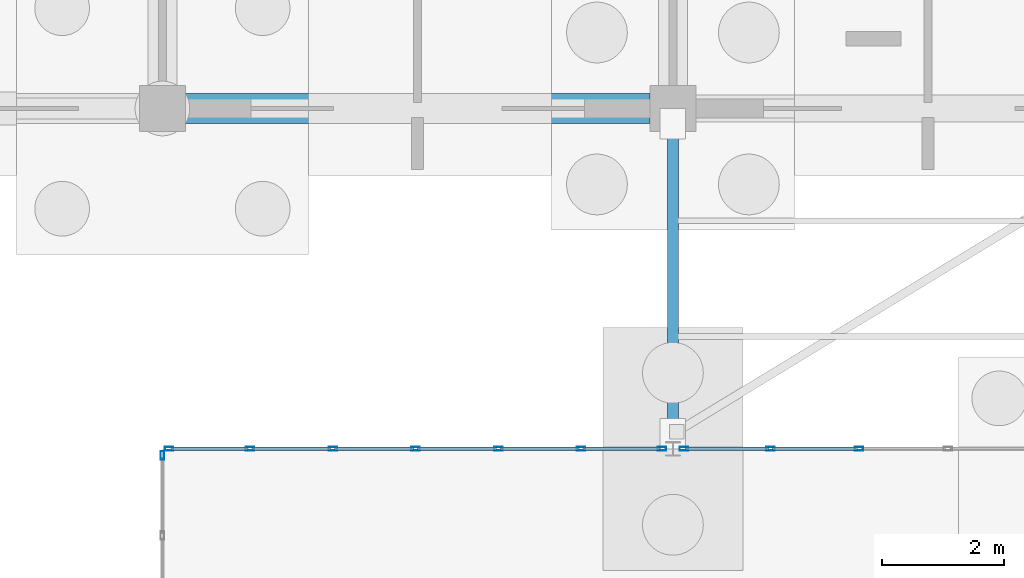
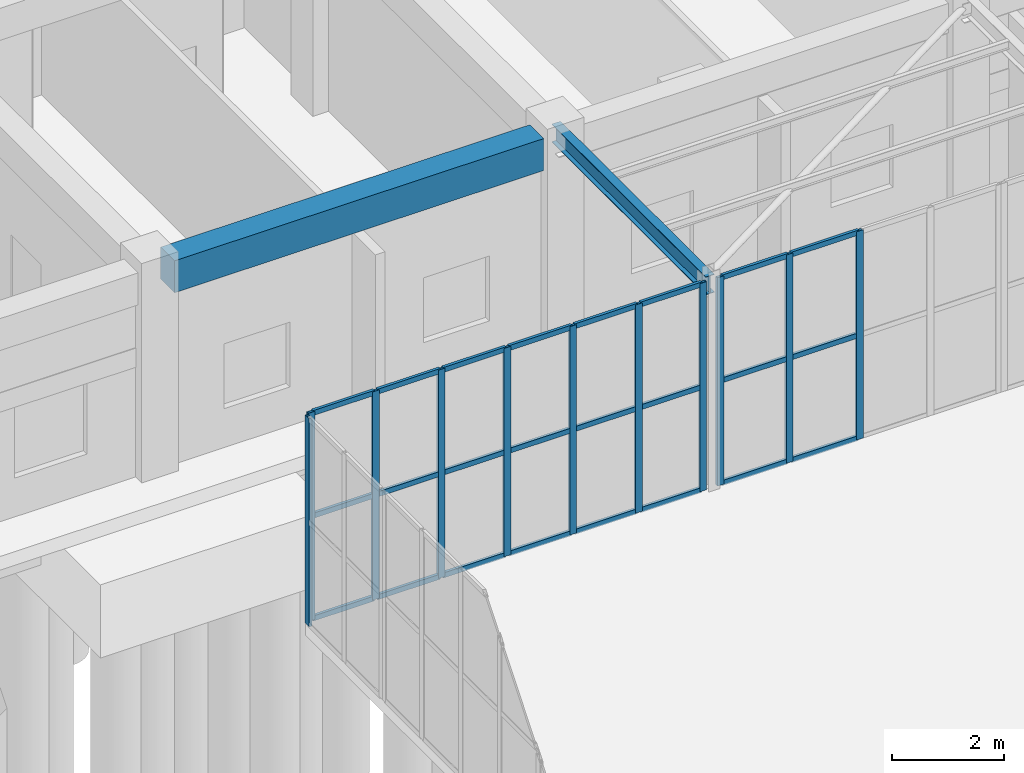
# One storey, part 115 of 192: 35 members, 2 beams, 3 elements without a shape of their own.
"""IFC4 building model written with IfcOpenShell, lengths in metres."""

from ifc_helpers import new_model, si_unit, direction, frame, origin, origin_2d, place, context, subcontext, project, spatial, rectangle, hollow_rectangle, i_section, extrude, material, layer, layer_set, material_profile, profile_set, type_object, element, aggregate, save


model = new_model("IFC4")

# Units and contexts
model_context = context("Model", 3, precision=1e-05, world=origin(), true_north=direction((0.0, 1.0)))
body_context = subcontext(model_context, "Body", "Model", "MODEL_VIEW")
ifc_project = project(units=[si_unit("LENGTHUNIT", "METRE"), si_unit("AREAUNIT", "SQUARE_METRE"), si_unit("VOLUMEUNIT", "CUBIC_METRE"), si_unit("PLANEANGLEUNIT", "RADIAN"), si_unit("MASSUNIT", "GRAM", prefix="KILO")], contexts=[model_context])

# Site, building, storey
site_placement = place(None, origin())
site = spatial("IfcSite", under=ifc_project, at=site_placement, CompositionType="ELEMENT")
building_placement = place(site_placement, origin())
building = spatial("IfcBuilding", under=site, at=building_placement, Name="Trelvath General Hospital", CompositionType="ELEMENT")
storey_placement = place(building_placement, origin())
storey = spatial("IfcBuildingStorey", under=building, at=storey_placement, Name="L00", CompositionType="ELEMENT", Elevation=0.0)

# Beams
ifc_material_1 = material(Name="Concrete C35/45", Category="concrete")
ifc_material_profile_1 = material_profile(ifc_material_1, rectangle(XDim=0.5, YDim=0.699951171875, at=origin_2d()), Name="RCB500x700")
ifc_profile_set_1 = profile_set([ifc_material_profile_1], Name="Concrete C35/45")
beam_type_1 = type_object("IfcBeamType", Name="Beam RC500x700", PredefinedType="BEAM", material=ifc_profile_set_1)
beam_1_placement = place(storey_placement, frame((92.77490234375, 92.39990234375, 4.169921875), z_axis=(1.0, 0.0, 0.0), x_axis=(0.0, 1.0, 0.0)))
element("IfcBeam", 1, at=beam_1_placement, inside=storey, type_object=beam_type_1, Name="Grid Beam BX-011L", PredefinedType="BEAM", context=body_context, shape_type="SweptSolid", body=[
    extrude(rectangle(XDim=0.5, YDim=0.699951171875, at=origin_2d()), origin(), (0.0, 0.0, 1.0), 7.650146484375),
])
ifc_material_2 = material(Name="Steel S355", Category="steel")
ifc_material_profile_2 = material_profile(ifc_material_2, i_section(OverallWidth=0.179931640625, OverallDepth=0.39990234375, WebThickness=0.008544921875, FlangeThickness=0.013427734375, at=origin_2d()), Name="IPE400")
ifc_profile_set_2 = profile_set([ifc_material_profile_2], Name="Steel S355")
beam_type_2 = type_object("IfcBeamType", Name="BridgeGirder IPE400", PredefinedType="BEAM", material=ifc_profile_set_2)
beam_2_placement = place(storey_placement, frame((100.800048828125, 86.840087890625, 4.409912109375), z_axis=(0.0, 1.0, 0.0), x_axis=(-1.0, 0.0, 0.0)))
element("IfcBeam", 2, at=beam_2_placement, inside=storey, type_object=beam_type_2, Name="Bridge Girder BRG-N-E W L01", PredefinedType="BEAM", context=body_context, shape_type="SweptSolid", body=[
    extrude(i_section(OverallWidth=0.179931640625, OverallDepth=0.39990234375, WebThickness=0.008544921875, FlangeThickness=0.013427734375, at=origin_2d()), origin(), (0.0, 0.0, 1.0), 5.52001953125),
])

# Curtain wall, members
ifc_material_3 = material(Name="Anodised aluminium and low-E glass", Category="aluminium")
ifc_layer_1 = layer(ifc_material_3, 0.139892578125)
ifc_layer_set_1 = layer_set([ifc_layer_1], Name="Anodised aluminium and low-E glass")
curtain_wall_type_1 = type_object("IfcCurtainWallType", Name="CW CrystalCube 817 456 14", PredefinedType="USERDEFINED", material=ifc_layer_set_1)
curtain_wall_1_placement = place(storey_placement, origin())
curtain_wall_1 = element("IfcCurtainWall", 3, at=curtain_wall_1_placement, inside=storey, type_object=curtain_wall_type_1, Name="Crystal Cube Curtain Wall CUBE-E-T0 N1 L00", ObjectType="Unitised Glazed Curtain Wall", PredefinedType="USERDEFINED")
ifc_material_4 = material(Name="Anodised aluminium", Category="aluminium")
ifc_material_profile_3 = material_profile(ifc_material_4, hollow_rectangle(XDim=0.06005859375, YDim=0.139892578125, WallThickness=0.00390625, at=origin_2d()), Name="RHS60x140x4")
ifc_profile_set_3 = profile_set([ifc_material_profile_3], Name="Anodised aluminium")
member_type_1 = type_object("IfcMemberType", Name="CurtainMullion 60x140", PredefinedType="MULLION", material=ifc_profile_set_3)
member_1_placement = place(storey_placement, frame((92.510009765625, 86.800048828125, 0.0), z_axis=(0.0, 0.0, 1.0), x_axis=(0.0, 1.0, 0.0)))
member_1 = element("IfcMember", 4, at=member_1_placement, type_object=member_type_1, Name="CW-111 mullion 1", PredefinedType="MULLION", context=body_context, shape_type="SweptSolid", body=[
    extrude(hollow_rectangle(XDim=0.06005859375, YDim=0.139892578125, WallThickness=0.00390625, at=origin_2d()), origin(), (0.0, 0.0, 1.0), 4.56005859375),
])
member_2_placement = place(storey_placement, frame((93.841552734375, 86.800048828125, 0.0), z_axis=(0.0, 0.0, 1.0), x_axis=(0.0, 1.0, 0.0)))
member_2 = element("IfcMember", 5, at=member_2_placement, type_object=member_type_1, Name="CW-111 mullion 2", PredefinedType="MULLION", context=body_context, shape_type="SweptSolid", body=[
    extrude(hollow_rectangle(XDim=0.06005859375, YDim=0.139892578125, WallThickness=0.00390625, at=origin_2d()), origin(), (0.0, 0.0, 1.0), 4.56005859375),
])
member_3_placement = place(storey_placement, frame((95.203369140625, 86.800048828125, 0.0), z_axis=(0.0, 0.0, 1.0), x_axis=(0.0, 1.0, 0.0)))
member_3 = element("IfcMember", 6, at=member_3_placement, type_object=member_type_1, Name="CW-111 mullion 3", PredefinedType="MULLION", context=body_context, shape_type="SweptSolid", body=[
    extrude(hollow_rectangle(XDim=0.06005859375, YDim=0.139892578125, WallThickness=0.00390625, at=origin_2d()), origin(), (0.0, 0.0, 1.0), 4.56005859375),
])
member_4_placement = place(storey_placement, frame((96.56494140625, 86.800048828125, 0.0), z_axis=(0.0, 0.0, 1.0), x_axis=(0.0, 1.0, 0.0)))
member_4 = element("IfcMember", 7, at=member_4_placement, type_object=member_type_1, Name="CW-111 mullion 4", PredefinedType="MULLION", context=body_context, shape_type="SweptSolid", body=[
    extrude(hollow_rectangle(XDim=0.06005859375, YDim=0.139892578125, WallThickness=0.00390625, at=origin_2d()), origin(), (0.0, 0.0, 1.0), 4.56005859375),
])
member_5_placement = place(storey_placement, frame((97.9267578125, 86.800048828125, 0.0), z_axis=(0.0, 0.0, 1.0), x_axis=(0.0, 1.0, 0.0)))
member_5 = element("IfcMember", 8, at=member_5_placement, type_object=member_type_1, Name="CW-111 mullion 5", PredefinedType="MULLION", context=body_context, shape_type="SweptSolid", body=[
    extrude(hollow_rectangle(XDim=0.06005859375, YDim=0.139892578125, WallThickness=0.00390625, at=origin_2d()), origin(), (0.0, 0.0, 1.0), 4.56005859375),
])
member_6_placement = place(storey_placement, frame((99.288330078125, 86.800048828125, 0.0), z_axis=(0.0, 0.0, 1.0), x_axis=(0.0, 1.0, 0.0)))
member_6 = element("IfcMember", 9, at=member_6_placement, type_object=member_type_1, Name="CW-111 mullion 6", PredefinedType="MULLION", context=body_context, shape_type="SweptSolid", body=[
    extrude(hollow_rectangle(XDim=0.06005859375, YDim=0.139892578125, WallThickness=0.00390625, at=origin_2d()), origin(), (0.0, 0.0, 1.0), 4.56005859375),
])
member_7_placement = place(storey_placement, frame((100.6201171875, 86.800048828125, 0.0), z_axis=(0.0, 0.0, 1.0), x_axis=(0.0, 1.0, 0.0)))
member_7 = element("IfcMember", 10, at=member_7_placement, type_object=member_type_1, Name="CW-111 mullion 7", PredefinedType="MULLION", context=body_context, shape_type="SweptSolid", body=[
    extrude(hollow_rectangle(XDim=0.06005859375, YDim=0.139892578125, WallThickness=0.00390625, at=origin_2d()), origin(), (0.0, 0.0, 1.0), 4.56005859375),
])

ifc_material_5 = material(Name="Anodised aluminium and low-E glass", Category="aluminium")
ifc_layer_2 = layer(ifc_material_5, 0.139892578125)
ifc_layer_set_2 = layer_set([ifc_layer_2], Name="Anodised aluminium and low-E glass")
curtain_wall_type_2 = type_object("IfcCurtainWallType", Name="CW CrystalCube 583 456 14", PredefinedType="USERDEFINED", material=ifc_layer_set_2)
curtain_wall_2_placement = place(storey_placement, origin())
curtain_wall_2 = element("IfcCurtainWall", 11, at=curtain_wall_2_placement, inside=storey, type_object=curtain_wall_type_2, Name="Crystal Cube Curtain Wall CUBE-E-T0 N2 L00", ObjectType="Unitised Glazed Curtain Wall", PredefinedType="USERDEFINED")
member_8_placement = place(storey_placement, frame((100.97998046875, 86.800048828125, 0.0), z_axis=(0.0, 0.0, 1.0), x_axis=(0.0, 1.0, 0.0)))
member_8 = element("IfcMember", 12, at=member_8_placement, type_object=member_type_1, Name="CW-112 mullion 1", PredefinedType="MULLION", context=body_context, shape_type="SweptSolid", body=[
    extrude(hollow_rectangle(XDim=0.06005859375, YDim=0.139892578125, WallThickness=0.00390625, at=origin_2d()), origin(), (0.0, 0.0, 1.0), 4.56005859375),
])
member_9_placement = place(storey_placement, frame((102.407470703125, 86.800048828125, 0.0), z_axis=(0.0, 0.0, 1.0), x_axis=(0.0, 1.0, 0.0)))
member_9 = element("IfcMember", 13, at=member_9_placement, type_object=member_type_1, Name="CW-112 mullion 2", PredefinedType="MULLION", context=body_context, shape_type="SweptSolid", body=[
    extrude(hollow_rectangle(XDim=0.06005859375, YDim=0.139892578125, WallThickness=0.00390625, at=origin_2d()), origin(), (0.0, 0.0, 1.0), 4.56005859375),
])
member_10_placement = place(storey_placement, frame((103.864990234375, 86.800048828125, 0.0), z_axis=(0.0, 0.0, 1.0), x_axis=(0.0, 1.0, 0.0)))
member_10 = element("IfcMember", 14, at=member_10_placement, type_object=member_type_1, Name="CW-112 mullion 3", PredefinedType="MULLION", context=body_context, shape_type="SweptSolid", body=[
    extrude(hollow_rectangle(XDim=0.06005859375, YDim=0.139892578125, WallThickness=0.00390625, at=origin_2d()), origin(), (0.0, 0.0, 1.0), 4.56005859375),
])

# Curtain wall, member
ifc_material_6 = material(Name="Anodised aluminium and low-E glass", Category="aluminium")
ifc_layer_3 = layer(ifc_material_6, 0.139892578125)
ifc_layer_set_3 = layer_set([ifc_layer_3], Name="Anodised aluminium and low-E glass")
curtain_wall_type_3 = type_object("IfcCurtainWallType", Name="CW CrystalCube 270 456 14", PredefinedType="USERDEFINED", material=ifc_layer_set_3)
curtain_wall_3_placement = place(storey_placement, origin())
curtain_wall_3 = element("IfcCurtainWall", 15, at=curtain_wall_3_placement, inside=storey, type_object=curtain_wall_type_3, Name="Crystal Cube Curtain Wall CUBE-E-T0 W7 L00", ObjectType="Unitised Glazed Curtain Wall", PredefinedType="USERDEFINED")
member_11_placement = place(storey_placement, frame((92.39990234375, 86.68994140625, 0.0), z_axis=(0.0, 0.0, 1.0), x_axis=(-1.0, 0.0, 0.0)))
member_11 = element("IfcMember", 16, at=member_11_placement, type_object=member_type_1, Name="CW-127 mullion 3", PredefinedType="MULLION", context=body_context, shape_type="SweptSolid", body=[
    extrude(hollow_rectangle(XDim=0.06005859375, YDim=0.139892578125, WallThickness=0.00390625, at=origin_2d()), origin(), (0.0, 0.0, 1.0), 4.56005859375),
])
aggregate(curtain_wall_3, [member_11])

# Member
ifc_material_7 = material(Name="Anodised aluminium", Category="aluminium")
ifc_material_profile_4 = material_profile(ifc_material_7, hollow_rectangle(XDim=0.06005859375, YDim=0.110107421875, WallThickness=0.00390625, at=origin_2d()), Name="RHS60x110x4")
ifc_profile_set_4 = profile_set([ifc_material_profile_4], Name="Anodised aluminium")
member_type_2 = type_object("IfcMemberType", Name="CurtainTransom 60x110", PredefinedType="USERDEFINED", material=ifc_profile_set_4)
member_12_placement = place(storey_placement, frame((92.5400390625, 86.800048828125, 0.030029296875), z_axis=(1.0, 0.0, 0.0), x_axis=(0.0, 1.0, 0.0)))
member_12 = element("IfcMember", 17, at=member_12_placement, type_object=member_type_2, Name="CW-111 transom 1.1", ObjectType="TRANSOM", PredefinedType="USERDEFINED", context=body_context, shape_type="SweptSolid", body=[
    extrude(hollow_rectangle(XDim=0.06005859375, YDim=0.110107421875, WallThickness=0.00390625, at=origin_2d()), origin(), (0.0, 0.0, 1.0), 1.271728515625),
])

member_13_placement = place(storey_placement, frame((92.5400390625, 86.800048828125, 2.280029296875), z_axis=(1.0, 0.0, 0.0), x_axis=(0.0, 1.0, 0.0)))
member_13 = element("IfcMember", 18, at=member_13_placement, type_object=member_type_2, Name="CW-111 transom 1.2", ObjectType="TRANSOM", PredefinedType="USERDEFINED", context=body_context, shape_type="SweptSolid", body=[
    extrude(hollow_rectangle(XDim=0.06005859375, YDim=0.110107421875, WallThickness=0.00390625, at=origin_2d()), origin(), (0.0, 0.0, 1.0), 1.271728515625),
])

member_14_placement = place(storey_placement, frame((92.5400390625, 86.800048828125, 4.530029296875), z_axis=(1.0, 0.0, 0.0), x_axis=(0.0, 1.0, 0.0)))
member_14 = element("IfcMember", 19, at=member_14_placement, type_object=member_type_2, Name="CW-111 transom 1.3", ObjectType="TRANSOM", PredefinedType="USERDEFINED", context=body_context, shape_type="SweptSolid", body=[
    extrude(hollow_rectangle(XDim=0.06005859375, YDim=0.110107421875, WallThickness=0.00390625, at=origin_2d()), origin(), (0.0, 0.0, 1.0), 1.271728515625),
])

member_15_placement = place(storey_placement, frame((93.87158203125, 86.800048828125, 0.030029296875), z_axis=(1.0, 0.0, 0.0), x_axis=(0.0, 1.0, 0.0)))
member_15 = element("IfcMember", 20, at=member_15_placement, type_object=member_type_2, Name="CW-111 transom 2.1", ObjectType="TRANSOM", PredefinedType="USERDEFINED", context=body_context, shape_type="SweptSolid", body=[
    extrude(hollow_rectangle(XDim=0.06005859375, YDim=0.110107421875, WallThickness=0.00390625, at=origin_2d()), origin(), (0.0, 0.0, 1.0), 1.3017578125),
])

member_16_placement = place(storey_placement, frame((93.87158203125, 86.800048828125, 2.280029296875), z_axis=(1.0, 0.0, 0.0), x_axis=(0.0, 1.0, 0.0)))
member_16 = element("IfcMember", 21, at=member_16_placement, type_object=member_type_2, Name="CW-111 transom 2.2", ObjectType="TRANSOM", PredefinedType="USERDEFINED", context=body_context, shape_type="SweptSolid", body=[
    extrude(hollow_rectangle(XDim=0.06005859375, YDim=0.110107421875, WallThickness=0.00390625, at=origin_2d()), origin(), (0.0, 0.0, 1.0), 1.3017578125),
])

member_17_placement = place(storey_placement, frame((93.87158203125, 86.800048828125, 4.530029296875), z_axis=(1.0, 0.0, 0.0), x_axis=(0.0, 1.0, 0.0)))
member_17 = element("IfcMember", 22, at=member_17_placement, type_object=member_type_2, Name="CW-111 transom 2.3", ObjectType="TRANSOM", PredefinedType="USERDEFINED", context=body_context, shape_type="SweptSolid", body=[
    extrude(hollow_rectangle(XDim=0.06005859375, YDim=0.110107421875, WallThickness=0.00390625, at=origin_2d()), origin(), (0.0, 0.0, 1.0), 1.3017578125),
])

member_18_placement = place(storey_placement, frame((95.2333984375, 86.800048828125, 0.030029296875), z_axis=(1.0, 0.0, 0.0), x_axis=(0.0, 1.0, 0.0)))
member_18 = element("IfcMember", 23, at=member_18_placement, type_object=member_type_2, Name="CW-111 transom 3.1", ObjectType="TRANSOM", PredefinedType="USERDEFINED", context=body_context, shape_type="SweptSolid", body=[
    extrude(hollow_rectangle(XDim=0.06005859375, YDim=0.110107421875, WallThickness=0.00390625, at=origin_2d()), origin(), (0.0, 0.0, 1.0), 1.301513671875),
])

member_19_placement = place(storey_placement, frame((95.2333984375, 86.800048828125, 2.280029296875), z_axis=(1.0, 0.0, 0.0), x_axis=(0.0, 1.0, 0.0)))
member_19 = element("IfcMember", 24, at=member_19_placement, type_object=member_type_2, Name="CW-111 transom 3.2", ObjectType="TRANSOM", PredefinedType="USERDEFINED", context=body_context, shape_type="SweptSolid", body=[
    extrude(hollow_rectangle(XDim=0.06005859375, YDim=0.110107421875, WallThickness=0.00390625, at=origin_2d()), origin(), (0.0, 0.0, 1.0), 1.301513671875),
])

member_20_placement = place(storey_placement, frame((95.2333984375, 86.800048828125, 4.530029296875), z_axis=(1.0, 0.0, 0.0), x_axis=(0.0, 1.0, 0.0)))
member_20 = element("IfcMember", 25, at=member_20_placement, type_object=member_type_2, Name="CW-111 transom 3.3", ObjectType="TRANSOM", PredefinedType="USERDEFINED", context=body_context, shape_type="SweptSolid", body=[
    extrude(hollow_rectangle(XDim=0.06005859375, YDim=0.110107421875, WallThickness=0.00390625, at=origin_2d()), origin(), (0.0, 0.0, 1.0), 1.301513671875),
])

member_21_placement = place(storey_placement, frame((96.594970703125, 86.800048828125, 0.030029296875), z_axis=(1.0, 0.0, 0.0), x_axis=(0.0, 1.0, 0.0)))
member_21 = element("IfcMember", 26, at=member_21_placement, type_object=member_type_2, Name="CW-111 transom 4.1", ObjectType="TRANSOM", PredefinedType="USERDEFINED", context=body_context, shape_type="SweptSolid", body=[
    extrude(hollow_rectangle(XDim=0.06005859375, YDim=0.110107421875, WallThickness=0.00390625, at=origin_2d()), origin(), (0.0, 0.0, 1.0), 1.3017578125),
])

member_22_placement = place(storey_placement, frame((96.594970703125, 86.800048828125, 2.280029296875), z_axis=(1.0, 0.0, 0.0), x_axis=(0.0, 1.0, 0.0)))
member_22 = element("IfcMember", 27, at=member_22_placement, type_object=member_type_2, Name="CW-111 transom 4.2", ObjectType="TRANSOM", PredefinedType="USERDEFINED", context=body_context, shape_type="SweptSolid", body=[
    extrude(hollow_rectangle(XDim=0.06005859375, YDim=0.110107421875, WallThickness=0.00390625, at=origin_2d()), origin(), (0.0, 0.0, 1.0), 1.3017578125),
])

member_23_placement = place(storey_placement, frame((96.594970703125, 86.800048828125, 4.530029296875), z_axis=(1.0, 0.0, 0.0), x_axis=(0.0, 1.0, 0.0)))
member_23 = element("IfcMember", 28, at=member_23_placement, type_object=member_type_2, Name="CW-111 transom 4.3", ObjectType="TRANSOM", PredefinedType="USERDEFINED", context=body_context, shape_type="SweptSolid", body=[
    extrude(hollow_rectangle(XDim=0.06005859375, YDim=0.110107421875, WallThickness=0.00390625, at=origin_2d()), origin(), (0.0, 0.0, 1.0), 1.3017578125),
])

member_24_placement = place(storey_placement, frame((97.956787109375, 86.800048828125, 0.030029296875), z_axis=(1.0, 0.0, 0.0), x_axis=(0.0, 1.0, 0.0)))
member_24 = element("IfcMember", 29, at=member_24_placement, type_object=member_type_2, Name="CW-111 transom 5.1", ObjectType="TRANSOM", PredefinedType="USERDEFINED", context=body_context, shape_type="SweptSolid", body=[
    extrude(hollow_rectangle(XDim=0.06005859375, YDim=0.110107421875, WallThickness=0.00390625, at=origin_2d()), origin(), (0.0, 0.0, 1.0), 1.301513671875),
])

member_25_placement = place(storey_placement, frame((97.956787109375, 86.800048828125, 2.280029296875), z_axis=(1.0, 0.0, 0.0), x_axis=(0.0, 1.0, 0.0)))
member_25 = element("IfcMember", 30, at=member_25_placement, type_object=member_type_2, Name="CW-111 transom 5.2", ObjectType="TRANSOM", PredefinedType="USERDEFINED", context=body_context, shape_type="SweptSolid", body=[
    extrude(hollow_rectangle(XDim=0.06005859375, YDim=0.110107421875, WallThickness=0.00390625, at=origin_2d()), origin(), (0.0, 0.0, 1.0), 1.301513671875),
])

member_26_placement = place(storey_placement, frame((97.956787109375, 86.800048828125, 4.530029296875), z_axis=(1.0, 0.0, 0.0), x_axis=(0.0, 1.0, 0.0)))
member_26 = element("IfcMember", 31, at=member_26_placement, type_object=member_type_2, Name="CW-111 transom 5.3", ObjectType="TRANSOM", PredefinedType="USERDEFINED", context=body_context, shape_type="SweptSolid", body=[
    extrude(hollow_rectangle(XDim=0.06005859375, YDim=0.110107421875, WallThickness=0.00390625, at=origin_2d()), origin(), (0.0, 0.0, 1.0), 1.301513671875),
])

member_27_placement = place(storey_placement, frame((99.318359375, 86.800048828125, 0.030029296875), z_axis=(1.0, 0.0, 0.0), x_axis=(0.0, 1.0, 0.0)))
member_27 = element("IfcMember", 32, at=member_27_placement, type_object=member_type_2, Name="CW-111 transom 6.1", ObjectType="TRANSOM", PredefinedType="USERDEFINED", context=body_context, shape_type="SweptSolid", body=[
    extrude(hollow_rectangle(XDim=0.06005859375, YDim=0.110107421875, WallThickness=0.00390625, at=origin_2d()), origin(), (0.0, 0.0, 1.0), 1.271728515625),
])

member_28_placement = place(storey_placement, frame((99.318359375, 86.800048828125, 2.280029296875), z_axis=(1.0, 0.0, 0.0), x_axis=(0.0, 1.0, 0.0)))
member_28 = element("IfcMember", 33, at=member_28_placement, type_object=member_type_2, Name="CW-111 transom 6.2", ObjectType="TRANSOM", PredefinedType="USERDEFINED", context=body_context, shape_type="SweptSolid", body=[
    extrude(hollow_rectangle(XDim=0.06005859375, YDim=0.110107421875, WallThickness=0.00390625, at=origin_2d()), origin(), (0.0, 0.0, 1.0), 1.271728515625),
])

member_29_placement = place(storey_placement, frame((99.318359375, 86.800048828125, 4.530029296875), z_axis=(1.0, 0.0, 0.0), x_axis=(0.0, 1.0, 0.0)))
member_29 = element("IfcMember", 34, at=member_29_placement, type_object=member_type_2, Name="CW-111 transom 6.3", ObjectType="TRANSOM", PredefinedType="USERDEFINED", context=body_context, shape_type="SweptSolid", body=[
    extrude(hollow_rectangle(XDim=0.06005859375, YDim=0.110107421875, WallThickness=0.00390625, at=origin_2d()), origin(), (0.0, 0.0, 1.0), 1.271728515625),
])

aggregate(curtain_wall_1, [member_1, member_2, member_3, member_4, member_5, member_6, member_7, member_12, member_13, member_14, member_15, member_16, member_17, member_18, member_19, member_20, member_21, member_22, member_23, member_24, member_25, member_26, member_27, member_28, member_29])

member_30_placement = place(storey_placement, frame((101.010009765625, 86.800048828125, 0.030029296875), z_axis=(1.0, 0.0, 0.0), x_axis=(0.0, 1.0, 0.0)))
member_30 = element("IfcMember", 35, at=member_30_placement, type_object=member_type_2, Name="CW-112 transom 1.1", ObjectType="TRANSOM", PredefinedType="USERDEFINED", context=body_context, shape_type="SweptSolid", body=[
    extrude(hollow_rectangle(XDim=0.06005859375, YDim=0.110107421875, WallThickness=0.00390625, at=origin_2d()), origin(), (0.0, 0.0, 1.0), 1.367431640625),
])

member_31_placement = place(storey_placement, frame((101.010009765625, 86.800048828125, 2.280029296875), z_axis=(1.0, 0.0, 0.0), x_axis=(0.0, 1.0, 0.0)))
member_31 = element("IfcMember", 36, at=member_31_placement, type_object=member_type_2, Name="CW-112 transom 1.2", ObjectType="TRANSOM", PredefinedType="USERDEFINED", context=body_context, shape_type="SweptSolid", body=[
    extrude(hollow_rectangle(XDim=0.06005859375, YDim=0.110107421875, WallThickness=0.00390625, at=origin_2d()), origin(), (0.0, 0.0, 1.0), 1.367431640625),
])

member_32_placement = place(storey_placement, frame((101.010009765625, 86.800048828125, 4.530029296875), z_axis=(1.0, 0.0, 0.0), x_axis=(0.0, 1.0, 0.0)))
member_32 = element("IfcMember", 37, at=member_32_placement, type_object=member_type_2, Name="CW-112 transom 1.3", ObjectType="TRANSOM", PredefinedType="USERDEFINED", context=body_context, shape_type="SweptSolid", body=[
    extrude(hollow_rectangle(XDim=0.06005859375, YDim=0.110107421875, WallThickness=0.00390625, at=origin_2d()), origin(), (0.0, 0.0, 1.0), 1.367431640625),
])

member_33_placement = place(storey_placement, frame((102.4375, 86.800048828125, 0.030029296875), z_axis=(1.0, 0.0, 0.0), x_axis=(0.0, 1.0, 0.0)))
member_33 = element("IfcMember", 38, at=member_33_placement, type_object=member_type_2, Name="CW-112 transom 2.1", ObjectType="TRANSOM", PredefinedType="USERDEFINED", context=body_context, shape_type="SweptSolid", body=[
    extrude(hollow_rectangle(XDim=0.06005859375, YDim=0.110107421875, WallThickness=0.00390625, at=origin_2d()), origin(), (0.0, 0.0, 1.0), 1.3974609375),
])

member_34_placement = place(storey_placement, frame((102.4375, 86.800048828125, 2.280029296875), z_axis=(1.0, 0.0, 0.0), x_axis=(0.0, 1.0, 0.0)))
member_34 = element("IfcMember", 39, at=member_34_placement, type_object=member_type_2, Name="CW-112 transom 2.2", ObjectType="TRANSOM", PredefinedType="USERDEFINED", context=body_context, shape_type="SweptSolid", body=[
    extrude(hollow_rectangle(XDim=0.06005859375, YDim=0.110107421875, WallThickness=0.00390625, at=origin_2d()), origin(), (0.0, 0.0, 1.0), 1.3974609375),
])

member_35_placement = place(storey_placement, frame((102.4375, 86.800048828125, 4.530029296875), z_axis=(1.0, 0.0, 0.0), x_axis=(0.0, 1.0, 0.0)))
member_35 = element("IfcMember", 40, at=member_35_placement, type_object=member_type_2, Name="CW-112 transom 2.3", ObjectType="TRANSOM", PredefinedType="USERDEFINED", context=body_context, shape_type="SweptSolid", body=[
    extrude(hollow_rectangle(XDim=0.06005859375, YDim=0.110107421875, WallThickness=0.00390625, at=origin_2d()), origin(), (0.0, 0.0, 1.0), 1.3974609375),
])

aggregate(curtain_wall_2, [member_8, member_9, member_10, member_30, member_31, member_32, member_33, member_34, member_35])

save(model, "model.ifc")
